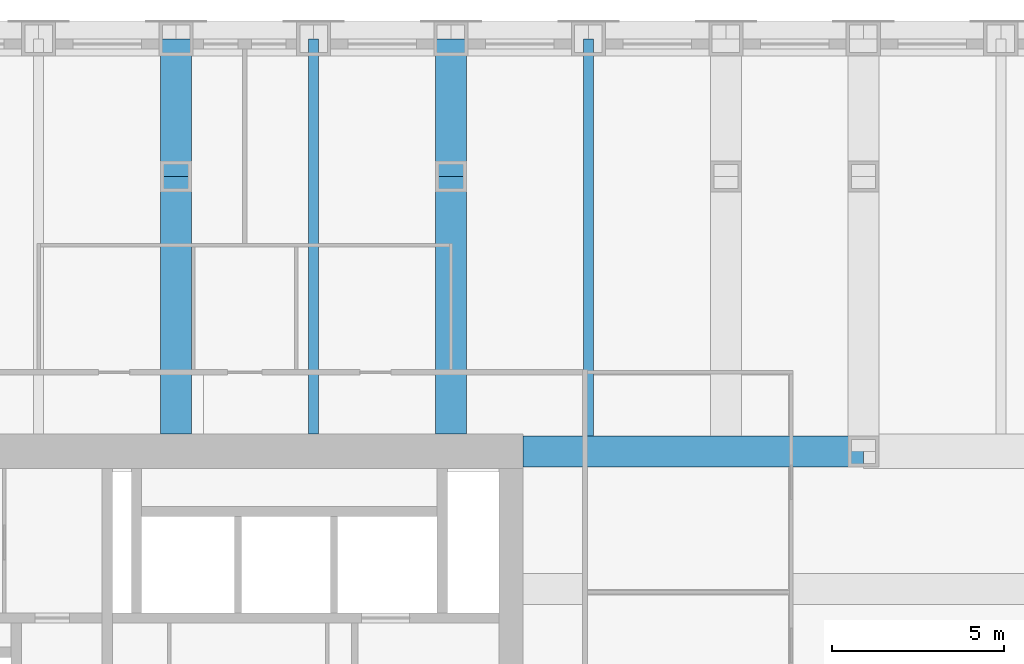
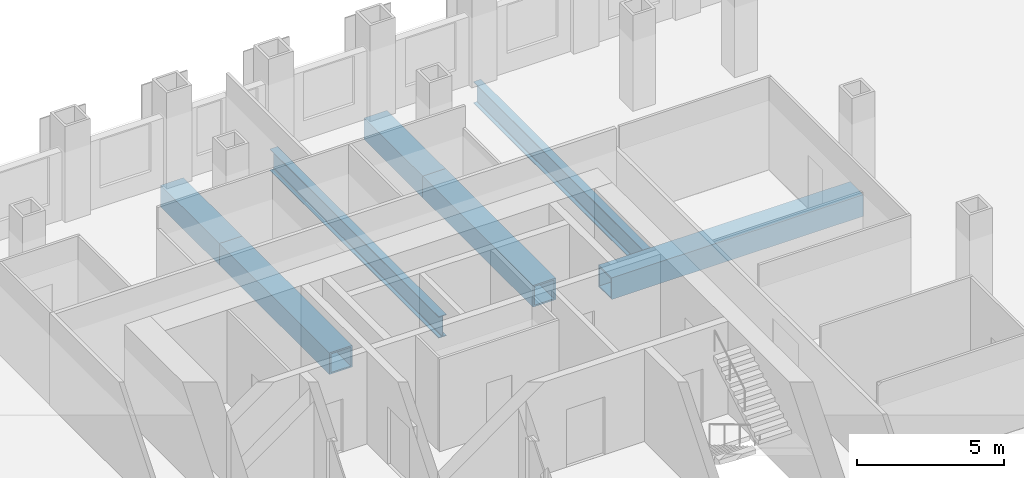
# One storey, part 7 of 16: 7 beams.
"""IFC4 building model written with IfcOpenShell, lengths in metres."""

from ifc_helpers import new_model, si_unit, direction, frame, origin, origin_2d, place, context, subcontext, project, spatial, hollow_rectangle, i_section, extrude, material, material_profile, profile_set, type_object, element, save


model = new_model("IFC4")

# Units and contexts
model_context = context("Model", 3, precision=1e-05, world=origin(), true_north=direction((0.0, 1.0)))
body_context = subcontext(model_context, "Body", "Model", "MODEL_VIEW")
ifc_project = project(units=[si_unit("LENGTHUNIT", "METRE"), si_unit("AREAUNIT", "SQUARE_METRE"), si_unit("VOLUMEUNIT", "CUBIC_METRE"), si_unit("PLANEANGLEUNIT", "RADIAN"), si_unit("MASSUNIT", "GRAM", prefix="KILO")], contexts=[model_context])

# Site, building, storey
site_placement = place(None, origin())
site = spatial("IfcSite", under=ifc_project, at=site_placement, CompositionType="ELEMENT")
building_placement = place(site_placement, origin())
building = spatial("IfcBuilding", under=site, at=building_placement, Name="Rimbunsela Tower", CompositionType="ELEMENT")
storey_placement = place(building_placement, frame((0.0, 0.0, 85.39990234375)))
storey = spatial("IfcBuildingStorey", under=building, at=storey_placement, Name="L20", CompositionType="ELEMENT", Elevation=85.39990234375)

# Beams
ifc_material_1 = material(Name="Steel BJ 55 (fy 410 MPa)", Category="steel")
ifc_material_profile_1 = material_profile(ifc_material_1, hollow_rectangle(XDim=0.89990234375, YDim=0.89990234375, WallThickness=0.06005859375, at=origin_2d()), Name="BOX 900x900x60")
ifc_profile_set_1 = profile_set([ifc_material_profile_1], Name="Steel BJ 55 (fy 410 MPa)")
beam_type_1 = type_object("IfcBeamType", Name="Beam BOX 900x900x60", PredefinedType="BEAM", material=ifc_profile_set_1)
beam_1_placement = place(storey_placement, frame((26.0, 36.5, -0.599853515625), z_axis=(0.0, 1.0, 0.0), x_axis=(-1.0, 0.0, 0.0)))
element("IfcBeam", 1, at=beam_1_placement, inside=storey, type_object=beam_type_1, Name="Beam B1 L20", PredefinedType="BEAM", context=body_context, shape_type="SweptSolid", body=[
    extrude(hollow_rectangle(XDim=0.89990234375, YDim=0.89990234375, WallThickness=0.06005859375, at=origin_2d()), origin(), (0.0, 0.0, 1.0), 7.5),
])
beam_2_placement = place(storey_placement, frame((26.0, 44.0, -0.599853515625), z_axis=(0.0, 1.0, 0.0), x_axis=(-1.0, 0.0, 0.0)))
element("IfcBeam", 2, at=beam_2_placement, inside=storey, type_object=beam_type_1, Name="Beam B1 L20", PredefinedType="BEAM", context=body_context, shape_type="SweptSolid", body=[
    extrude(hollow_rectangle(XDim=0.89990234375, YDim=0.89990234375, WallThickness=0.06005859375, at=origin_2d()), origin(), (0.0, 0.0, 1.0), 4.0),
])
beam_3_placement = place(storey_placement, frame((34.0, 36.5, -0.599853515625), z_axis=(0.0, 1.0, 0.0), x_axis=(-1.0, 0.0, 0.0)))
element("IfcBeam", 3, at=beam_3_placement, inside=storey, type_object=beam_type_1, Name="Beam B1 L20", PredefinedType="BEAM", context=body_context, shape_type="SweptSolid", body=[
    extrude(hollow_rectangle(XDim=0.89990234375, YDim=0.89990234375, WallThickness=0.06005859375, at=origin_2d()), origin(), (0.0, 0.0, 1.0), 7.5),
])
beam_4_placement = place(storey_placement, frame((34.0, 44.0, -0.599853515625), z_axis=(0.0, 1.0, 0.0), x_axis=(-1.0, 0.0, 0.0)))
element("IfcBeam", 4, at=beam_4_placement, inside=storey, type_object=beam_type_1, Name="Beam B1 L20", PredefinedType="BEAM", context=body_context, shape_type="SweptSolid", body=[
    extrude(hollow_rectangle(XDim=0.89990234375, YDim=0.89990234375, WallThickness=0.06005859375, at=origin_2d()), origin(), (0.0, 0.0, 1.0), 4.0),
])
beam_5_placement = place(storey_placement, frame((36.10009765625, 36.0, -0.599853515625), z_axis=(1.0, 0.0, 0.0), x_axis=(0.0, 1.0, 0.0)))
element("IfcBeam", 5, at=beam_5_placement, inside=storey, type_object=beam_type_1, Name="Beam B1 L20", PredefinedType="BEAM", context=body_context, shape_type="SweptSolid", body=[
    extrude(hollow_rectangle(XDim=0.89990234375, YDim=0.89990234375, WallThickness=0.06005859375, at=origin_2d()), origin(), (0.0, 0.0, 1.0), 9.89990234375),
])
ifc_material_2 = material(Name="Steel BJ 55 (fy 410 MPa)", Category="steel")
ifc_material_profile_2 = material_profile(ifc_material_2, i_section(OverallWidth=0.300048828125, OverallDepth=0.89990234375, WebThickness=0.01611328125, FlangeThickness=0.028076171875, FilletRadius=0.028076171875, at=origin_2d()), Name="H 900x300x16x28")
ifc_profile_set_2 = profile_set([ifc_material_profile_2], Name="Steel BJ 55 (fy 410 MPa)")
beam_type_2 = type_object("IfcBeamType", Name="Beam H 900x300x16x28", PredefinedType="BEAM", material=ifc_profile_set_2)
beam_6_placement = place(storey_placement, frame((30.0, 36.5, -0.599853515625), z_axis=(0.0, 1.0, 0.0), x_axis=(-1.0, 0.0, 0.0)))
element("IfcBeam", 6, at=beam_6_placement, inside=storey, type_object=beam_type_2, Name="Beam B2 L20", PredefinedType="BEAM", context=body_context, shape_type="SweptSolid", body=[
    extrude(i_section(OverallWidth=0.300048828125, OverallDepth=0.89990234375, WebThickness=0.01611328125, FlangeThickness=0.028076171875, FilletRadius=0.028076171875, at=origin_2d()), origin(), (0.0, 0.0, 1.0), 11.5),
])
beam_7_placement = place(storey_placement, frame((38.0, 36.449951171875, -0.599853515625), z_axis=(0.0, 1.0, 0.0), x_axis=(-1.0, 0.0, 0.0)))
element("IfcBeam", 7, at=beam_7_placement, inside=storey, type_object=beam_type_2, Name="Beam B2 L20", PredefinedType="BEAM", context=body_context, shape_type="SweptSolid", body=[
    extrude(i_section(OverallWidth=0.300048828125, OverallDepth=0.89990234375, WebThickness=0.01611328125, FlangeThickness=0.028076171875, FilletRadius=0.028076171875, at=origin_2d()), origin(), (0.0, 0.0, 1.0), 11.550048828125),
])

save(model, "model.ifc")
